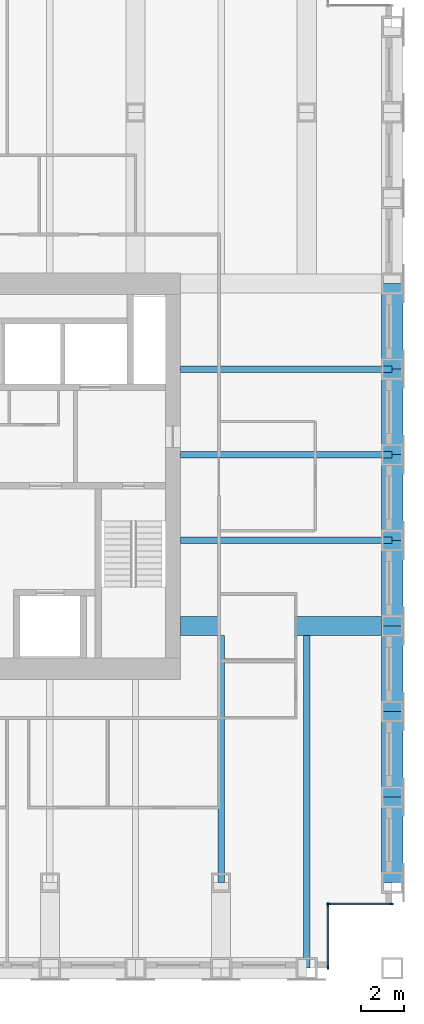
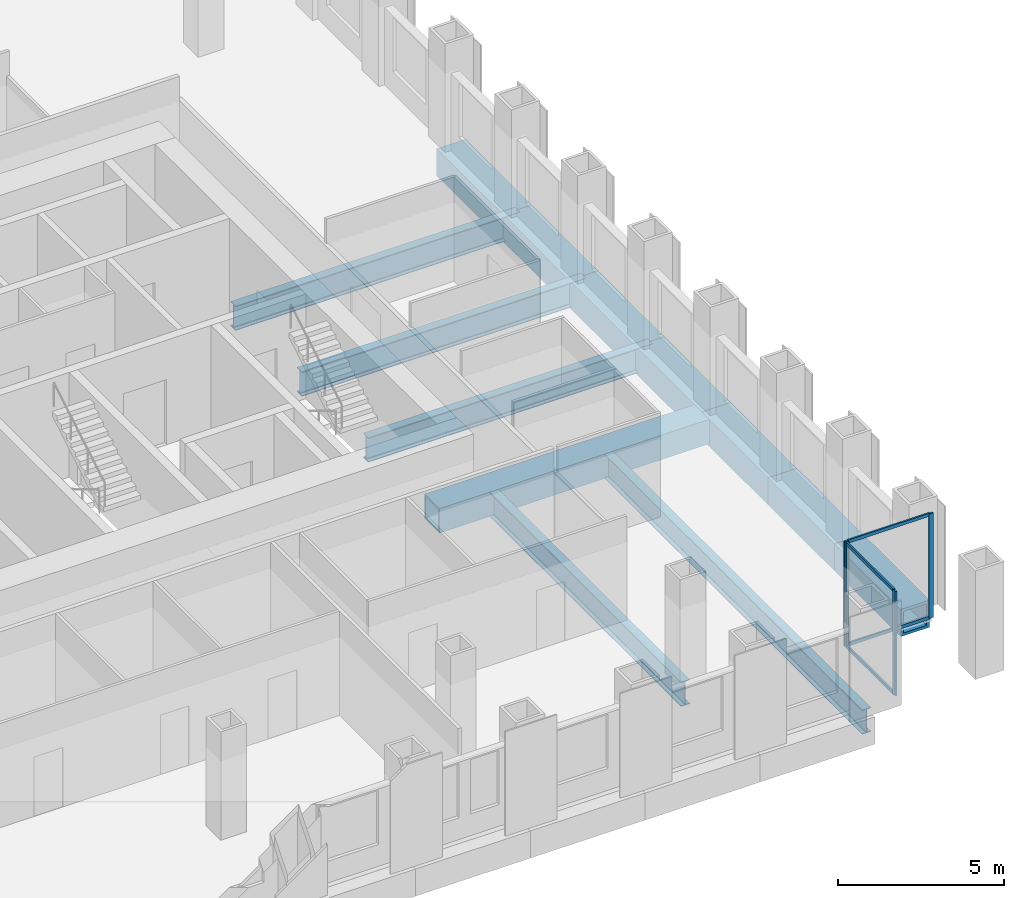
# One storey, part 4 of 12: 13 beams, 8 members, 2 elements without a shape of their own.
"""IFC4 building model written with IfcOpenShell, lengths in metres."""

from ifc_helpers import new_model, si_unit, direction, frame, origin, origin_2d, place, context, subcontext, project, spatial, rectangle, hollow_rectangle, i_section, extrude, material, material_profile, profile_set, type_object, element, aggregate, save


model = new_model("IFC4")

# Units and contexts
model_context = context("Model", 3, precision=1e-05, world=origin(), true_north=direction((0.0, 1.0)))
body_context = subcontext(model_context, "Body", "Model", "MODEL_VIEW")
ifc_project = project(units=[si_unit("LENGTHUNIT", "METRE"), si_unit("AREAUNIT", "SQUARE_METRE"), si_unit("VOLUMEUNIT", "CUBIC_METRE"), si_unit("PLANEANGLEUNIT", "RADIAN"), si_unit("MASSUNIT", "GRAM", prefix="KILO")], contexts=[model_context])

# Site, building, storey
site_placement = place(None, origin())
site = spatial("IfcSite", under=ifc_project, at=site_placement, CompositionType="ELEMENT")
building_placement = place(site_placement, origin())
building = spatial("IfcBuilding", under=site, at=building_placement, Name="Rimbunsela Tower", CompositionType="ELEMENT")
storey_placement = place(building_placement, frame((0.0, 0.0, 151.800048828125)))
storey = spatial("IfcBuildingStorey", under=building, at=storey_placement, Name="L36", CompositionType="ELEMENT", Elevation=151.800048828125)

# Beams
ifc_material_1 = material(Name="Steel BJ 55 (fy 410 MPa)", Category="steel")
ifc_material_profile_1 = material_profile(ifc_material_1, hollow_rectangle(XDim=1.0, YDim=1.0, WallThickness=0.10009765625, at=origin_2d()), Name="BOX 1000x1000x100")
ifc_profile_set_1 = profile_set([ifc_material_profile_1], Name="Steel BJ 55 (fy 410 MPa)")
beam_type_1 = type_object("IfcBeamType", Name="Beam BOX 1000x1000x100", PredefinedType="BEAM", material=ifc_profile_set_1)
for number, where, z_axis, x_axis, name in (
    (1, (46.0, 8.0, -0.650146484375), (0.0, 1.0, 0.0), (-1.0, 0.0, 0.0), "Beam B3 L36"),
    (2, (46.0, 12.0, -0.650146484375), (0.0, 1.0, 0.0), (-1.0, 0.0, 0.0), "Beam B3 L36"),
    (3, (46.0, 16.0, -0.650146484375), (0.0, 1.0, 0.0), (-1.0, 0.0, 0.0), "Beam B3 L36"),
    (4, (46.0, 20.0, -0.650146484375), (0.0, 1.0, 0.0), (-1.0, 0.0, 0.0), "Beam B3 L36"),
    (5, (46.0, 24.0, -0.650146484375), (0.0, 1.0, 0.0), (-1.0, 0.0, 0.0), "Beam B3 L36"),
    (6, (46.0, 28.0, -0.650146484375), (0.0, 1.0, 0.0), (-1.0, 0.0, 0.0), "Beam B3 L36"),
    (7, (46.0, 32.0, -0.650146484375), (0.0, 1.0, 0.0), (-1.0, 0.0, 0.0), "Beam B3 L36"),
):
    element("IfcBeam", number, at=place(storey_placement, frame(where, z_axis=z_axis, x_axis=x_axis)), inside=storey, type_object=beam_type_1, Name=name, PredefinedType="BEAM", context=body_context, shape_type="SweptSolid", body=[
        extrude(hollow_rectangle(XDim=1.0, YDim=1.0, WallThickness=0.10009765625, at=origin_2d()), origin(), (0.0, 0.0, 1.0), 4.0),
    ])
ifc_material_2 = material(Name="Steel BJ 55 (fy 410 MPa)", Category="steel")
ifc_material_profile_2 = material_profile(ifc_material_2, hollow_rectangle(XDim=0.89990234375, YDim=0.89990234375, WallThickness=0.06005859375, at=origin_2d()), Name="BOX 900x900x60")
ifc_profile_set_2 = profile_set([ifc_material_profile_2], Name="Steel BJ 55 (fy 410 MPa)")
beam_type_2 = type_object("IfcBeamType", Name="Beam BOX 900x900x60", PredefinedType="BEAM", material=ifc_profile_set_2)
beam_1_placement = place(storey_placement, frame((36.10009765625, 20.0, -0.60009765625), z_axis=(1.0, 0.0, 0.0), x_axis=(0.0, 1.0, 0.0)))
element("IfcBeam", 8, at=beam_1_placement, inside=storey, type_object=beam_type_2, Name="Beam B1 L36", PredefinedType="BEAM", context=body_context, shape_type="SweptSolid", body=[
    extrude(hollow_rectangle(XDim=0.89990234375, YDim=0.89990234375, WallThickness=0.06005859375, at=origin_2d()), origin(), (0.0, 0.0, 1.0), 9.89990234375),
])
ifc_material_3 = material(Name="Steel BJ 55 (fy 410 MPa)", Category="steel")
ifc_material_profile_3 = material_profile(ifc_material_3, i_section(OverallWidth=0.300048828125, OverallDepth=0.89990234375, WebThickness=0.01611328125, FlangeThickness=0.028076171875, FilletRadius=0.028076171875, at=origin_2d()), Name="H 900x300x16x28")
ifc_profile_set_3 = profile_set([ifc_material_profile_3], Name="Steel BJ 55 (fy 410 MPa)")
beam_type_3 = type_object("IfcBeamType", Name="Beam H 900x300x16x28", PredefinedType="BEAM", material=ifc_profile_set_3)
for number, where, z_axis, x_axis, name in (
    (9, (36.10009765625, 24.0, -0.60009765625), (1.0, 0.0, 0.0), (0.0, 1.0, 0.0), "Beam B2 L36"),
    (10, (36.10009765625, 28.0, -0.60009765625), (1.0, 0.0, 0.0), (0.0, 1.0, 0.0), "Beam B2 L36"),
    (11, (36.10009765625, 32.0, -0.60009765625), (1.0, 0.0, 0.0), (0.0, 1.0, 0.0), "Beam B2 L36"),
):
    element("IfcBeam", number, at=place(storey_placement, frame(where, z_axis=z_axis, x_axis=x_axis)), inside=storey, type_object=beam_type_3, Name=name, PredefinedType="BEAM", context=body_context, shape_type="SweptSolid", body=[
        extrude(i_section(OverallWidth=0.300048828125, OverallDepth=0.89990234375, WebThickness=0.01611328125, FlangeThickness=0.028076171875, FilletRadius=0.028076171875, at=origin_2d()), origin(), (0.0, 0.0, 1.0), 9.89990234375),
    ])
beam_2_placement = place(storey_placement, frame((38.0, 8.0, -0.60009765625), z_axis=(0.0, 1.0, 0.0), x_axis=(-1.0, 0.0, 0.0)))
element("IfcBeam", 12, at=beam_2_placement, inside=storey, type_object=beam_type_3, Name="Beam B2 L36", PredefinedType="BEAM", context=body_context, shape_type="SweptSolid", body=[
    extrude(i_section(OverallWidth=0.300048828125, OverallDepth=0.89990234375, WebThickness=0.01611328125, FlangeThickness=0.028076171875, FilletRadius=0.028076171875, at=origin_2d()), origin(), (0.0, 0.0, 1.0), 11.550048828125),
])
beam_3_placement = place(storey_placement, frame((42.0, 4.0, -0.60009765625), z_axis=(0.0, 1.0, 0.0), x_axis=(-1.0, 0.0, 0.0)))
element("IfcBeam", 13, at=beam_3_placement, inside=storey, type_object=beam_type_3, Name="Beam B2 L36", PredefinedType="BEAM", context=body_context, shape_type="SweptSolid", body=[
    extrude(i_section(OverallWidth=0.300048828125, OverallDepth=0.89990234375, WebThickness=0.01611328125, FlangeThickness=0.028076171875, FilletRadius=0.028076171875, at=origin_2d()), origin(), (0.0, 0.0, 1.0), 15.550048828125),
])

# Curtain wall, members
ifc_material_4 = material(Name="Aluminium curtain wall", Category="aluminium")
curtain_wall_type = type_object("IfcCurtainWallType", Name="Corner glazing", PredefinedType="USERDEFINED", material=ifc_material_4)
curtain_wall_1_placement = place(storey_placement, origin())
curtain_wall_1 = element("IfcCurtainWall", 14, at=curtain_wall_1_placement, inside=storey, type_object=curtain_wall_type, Name="Corner glazing L36", ObjectType="CORNER GLAZING", PredefinedType="USERDEFINED")
ifc_material_5 = material(Name="Aluminium mullion", Category="aluminium")
ifc_material_profile_4 = material_profile(ifc_material_5, rectangle(XDim=0.06005859375, YDim=0.159912109375, at=origin_2d()), Name="Mullion 60x160")
ifc_profile_set_4 = profile_set([ifc_material_profile_4], Name="Aluminium mullion")
member_type_1 = type_object("IfcMemberType", Name="Curtain wall mullion 60x160", PredefinedType="MULLION", material=ifc_profile_set_4)
member_1_placement = place(storey_placement, frame((43.0, 4.030029296875, 0.0), z_axis=(0.0, 0.0, 1.0), x_axis=(-1.0, 0.0, 0.0)))
member_1 = element("IfcMember", 15, at=member_1_placement, type_object=member_type_1, Name="CW5 mullion 1", PredefinedType="MULLION", context=body_context, shape_type="SweptSolid", body=[
    extrude(rectangle(XDim=0.06005859375, YDim=0.159912109375, at=origin_2d()), origin(), (0.0, 0.0, 1.0), 3.849853515625),
])
member_2_placement = place(storey_placement, frame((43.0, 6.969970703125, 0.0), z_axis=(0.0, 0.0, 1.0), x_axis=(-1.0, 0.0, 0.0)))
member_2 = element("IfcMember", 16, at=member_2_placement, type_object=member_type_1, Name="CW5 mullion 2", PredefinedType="MULLION", context=body_context, shape_type="SweptSolid", body=[
    extrude(rectangle(XDim=0.06005859375, YDim=0.159912109375, at=origin_2d()), origin(), (0.0, 0.0, 1.0), 3.849853515625),
])

curtain_wall_2_placement = place(storey_placement, origin())
curtain_wall_2 = element("IfcCurtainWall", 17, at=curtain_wall_2_placement, inside=storey, type_object=curtain_wall_type, Name="Corner glazing L36", ObjectType="CORNER GLAZING", PredefinedType="USERDEFINED")
member_3_placement = place(storey_placement, frame((43.030029296875, 7.0, 0.0), z_axis=(0.0, 0.0, 1.0), x_axis=(0.0, 1.0, 0.0)))
member_3 = element("IfcMember", 18, at=member_3_placement, type_object=member_type_1, Name="CW5 mullion 1", PredefinedType="MULLION", context=body_context, shape_type="SweptSolid", body=[
    extrude(rectangle(XDim=0.06005859375, YDim=0.159912109375, at=origin_2d()), origin(), (0.0, 0.0, 1.0), 3.849853515625),
])
member_4_placement = place(storey_placement, frame((45.969970703125, 7.0, 0.0), z_axis=(0.0, 0.0, 1.0), x_axis=(0.0, 1.0, 0.0)))
member_4 = element("IfcMember", 19, at=member_4_placement, type_object=member_type_1, Name="CW5 mullion 2", PredefinedType="MULLION", context=body_context, shape_type="SweptSolid", body=[
    extrude(rectangle(XDim=0.06005859375, YDim=0.159912109375, at=origin_2d()), origin(), (0.0, 0.0, 1.0), 3.849853515625),
])

# Member
ifc_material_6 = material(Name="Aluminium transom", Category="aluminium")
ifc_material_profile_5 = material_profile(ifc_material_6, rectangle(XDim=0.06005859375, YDim=0.1201171875, at=origin_2d()), Name="Transom 60x120")
ifc_profile_set_5 = profile_set([ifc_material_profile_5], Name="Aluminium transom")
member_type_2 = type_object("IfcMemberType", Name="Curtain wall transom 60x120", PredefinedType="USERDEFINED", material=ifc_profile_set_5)
member_5_placement = place(storey_placement, frame((43.0, 4.06005859375, 0.030029296875), z_axis=(0.0, 1.0, 0.0), x_axis=(-1.0, 0.0, 0.0)))
member_5 = element("IfcMember", 20, at=member_5_placement, type_object=member_type_2, Name="CW5 transom 1.1", ObjectType="TRANSOM", PredefinedType="USERDEFINED", context=body_context, shape_type="SweptSolid", body=[
    extrude(rectangle(XDim=0.06005859375, YDim=0.1201171875, at=origin_2d()), origin(), (0.0, 0.0, 1.0), 2.8798828125),
])

member_6_placement = place(storey_placement, frame((43.0, 4.06005859375, 3.820068359375), z_axis=(0.0, 1.0, 0.0), x_axis=(-1.0, 0.0, 0.0)))
member_6 = element("IfcMember", 21, at=member_6_placement, type_object=member_type_2, Name="CW5 transom 1.2", ObjectType="TRANSOM", PredefinedType="USERDEFINED", context=body_context, shape_type="SweptSolid", body=[
    extrude(rectangle(XDim=0.06005859375, YDim=0.1201171875, at=origin_2d()), origin(), (0.0, 0.0, 1.0), 2.8798828125),
])

aggregate(curtain_wall_1, [member_1, member_2, member_5, member_6])

member_7_placement = place(storey_placement, frame((43.06005859375, 7.0, 0.030029296875), z_axis=(1.0, 0.0, 0.0), x_axis=(0.0, 1.0, 0.0)))
member_7 = element("IfcMember", 22, at=member_7_placement, type_object=member_type_2, Name="CW5 transom 1.1", ObjectType="TRANSOM", PredefinedType="USERDEFINED", context=body_context, shape_type="SweptSolid", body=[
    extrude(rectangle(XDim=0.06005859375, YDim=0.1201171875, at=origin_2d()), origin(), (0.0, 0.0, 1.0), 2.8798828125),
])

member_8_placement = place(storey_placement, frame((43.06005859375, 7.0, 3.820068359375), z_axis=(1.0, 0.0, 0.0), x_axis=(0.0, 1.0, 0.0)))
member_8 = element("IfcMember", 23, at=member_8_placement, type_object=member_type_2, Name="CW5 transom 1.2", ObjectType="TRANSOM", PredefinedType="USERDEFINED", context=body_context, shape_type="SweptSolid", body=[
    extrude(rectangle(XDim=0.06005859375, YDim=0.1201171875, at=origin_2d()), origin(), (0.0, 0.0, 1.0), 2.8798828125),
])

aggregate(curtain_wall_2, [member_3, member_4, member_7, member_8])

save(model, "model.ifc")
